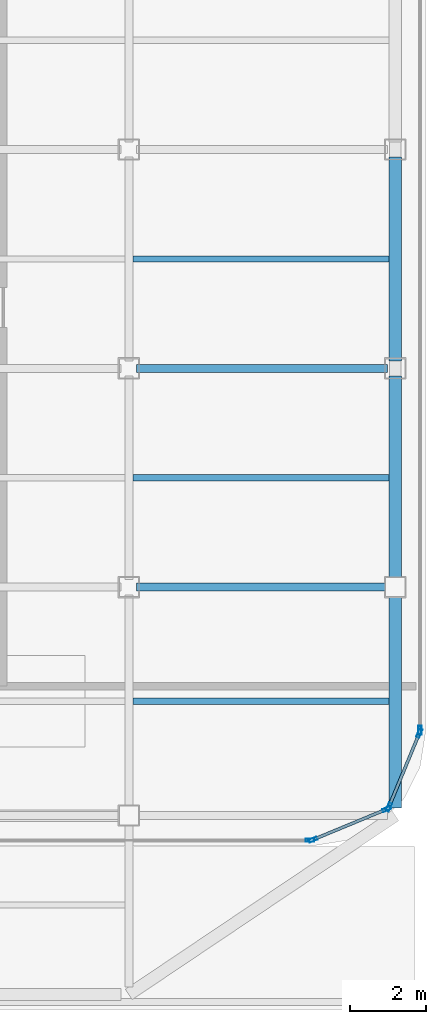
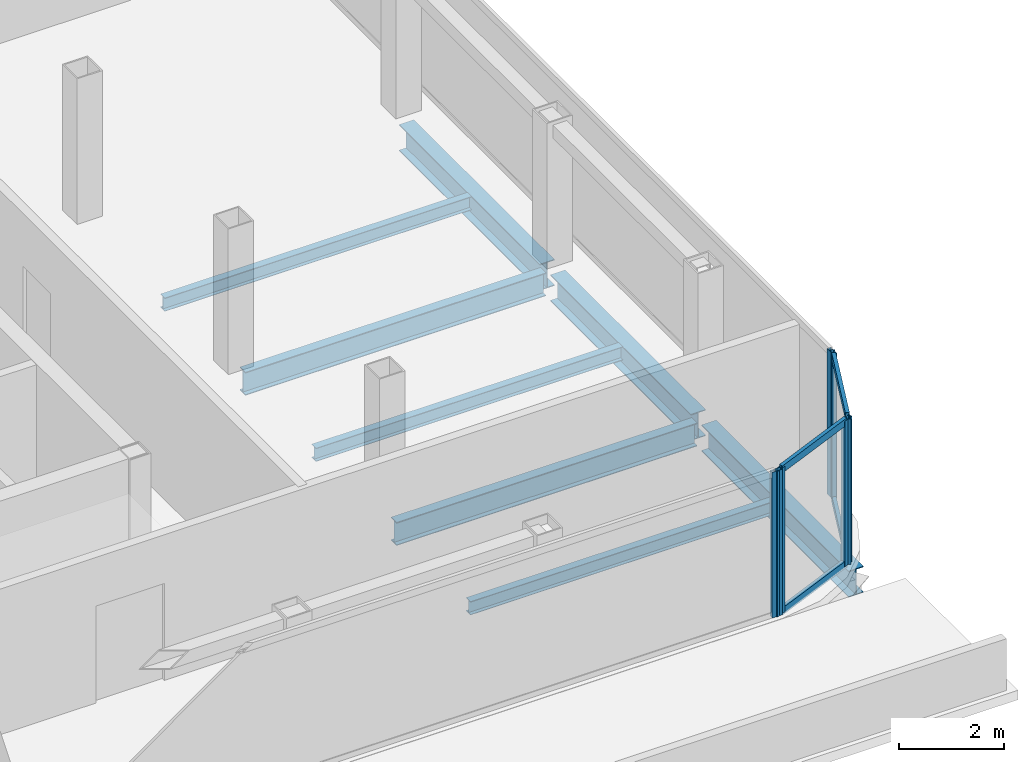
# One storey, part 6 of 15: 10 members, 8 beams, 4 elements without a shape of their own.
"""IFC4 building model written with IfcOpenShell, lengths in metres."""

import ifcopenshell
import ifcopenshell.guid

model = None  # the IFC model being written
_history = None  # IfcOwnerHistory: only IFC2X3 demands one
_inside = {}  # id of a spatial element -> (the spatial element, [elements in it])
_under = {}  # id of a project, library or spatial element -> (it, [spatial elements below it])
_declared = {}  # id of a project -> (the project, [libraries it declares])
_typed = {}  # id of a type object -> (the type object, [elements of that type])
_made_of = {}  # id of a material, layer set ... -> (it, [elements and type objects made of it])


def new_model(schema):
    """Start an empty IFC model of exactly this schema.

    Asked for "IFC4X3", IfcOpenShell would pick the latest addendum, in which some entities
    have other attributes; the version numbers below select the first issue.
    IFC2X3 requires an IfcOwnerHistory on every rooted entity: one is made here for all.
    """
    global model, _history
    if schema == "IFC4X3":
        model = ifcopenshell.file(schema_version=(4, 3, 0, 0))
    else:
        model = ifcopenshell.file(schema=schema)
    _inside.clear()
    _under.clear()
    _declared.clear()
    _typed.clear()
    _made_of.clear()
    _history = None
    if model.schema == "IFC2X3":
        org = make("IfcOrganization", Name="unknown")
        user = make(
            "IfcPersonAndOrganization",
            ThePerson=make("IfcPerson", FamilyName="unknown"),
            TheOrganization=org,
        )
        app = make(
            "IfcApplication",
            ApplicationDeveloper=org,
            Version="unknown",
            ApplicationFullName="unknown",
            ApplicationIdentifier="unknown",
        )
        _history = make(
            "IfcOwnerHistory",
            OwningUser=user,
            OwningApplication=app,
            ChangeAction="ADDED",
            CreationDate=0,
        )
    return model


def make(cls, **values):
    """One entity of the class cls with the attributes given. An attribute that is None is left unset."""
    return model.create_entity(
        cls, **{name: value for name, value in values.items() if value is not None}
    )


def rooted(cls, **values):
    """An entity with a GlobalId (a new one), such as an element, a storey or a relation."""
    return make(cls, GlobalId=ifcopenshell.guid.new(), OwnerHistory=_history, **values)


def si_unit(unit_type, name, prefix=None):
    """IfcSIUnit, for example si_unit("LENGTHUNIT", "METRE", prefix="MILLI")."""
    return make("IfcSIUnit", UnitType=unit_type, Prefix=prefix, Name=name)


def assignment(units):
    """IfcUnitAssignment: the units of a project."""
    return None if units is None else make("IfcUnitAssignment", Units=units)


def point(xyz):
    """IfcCartesianPoint."""
    return None if xyz is None else make("IfcCartesianPoint", Coordinates=xyz)


def direction(xyz):
    """IfcDirection."""
    return None if xyz is None else make("IfcDirection", DirectionRatios=xyz)


def frame(location, z_axis=None, x_axis=None):
    """IfcAxis2Placement3D, a coordinate frame: its origin and axes. An axis left out is left unset."""
    return make(
        "IfcAxis2Placement3D",
        Location=point(location),
        Axis=direction(z_axis),
        RefDirection=direction(x_axis),
    )


def frame_2d(location, x_axis=None):
    """IfcAxis2Placement2D, a coordinate frame in the plane: its origin and x axis."""
    return make(
        "IfcAxis2Placement2D", Location=point(location), RefDirection=direction(x_axis)
    )


def origin():
    """The frame at (0, 0, 0) with its axes left unset."""
    return frame((0.0, 0.0, 0.0))


def origin_2d():
    """The frame at (0, 0) in the plane with its x axis left unset."""
    return frame_2d((0.0, 0.0))


def place(relative_to, where):
    """IfcLocalPlacement: puts the frame where relative to a parent placement (None: the world)."""
    return make(
        "IfcLocalPlacement", PlacementRelTo=relative_to, RelativePlacement=where
    )


def context(
    kind, dimensions, precision=None, world=None, true_north=None, identifier=None
):
    """IfcGeometricRepresentationContext, for example the 3D "Model" context."""
    return make(
        "IfcGeometricRepresentationContext",
        ContextIdentifier=identifier,
        ContextType=kind,
        CoordinateSpaceDimension=dimensions,
        Precision=precision,
        WorldCoordinateSystem=world,
        TrueNorth=true_north,
    )


def subcontext(parent, identifier, kind, view, scale=None):
    """IfcGeometricRepresentationSubContext, for example "Body" below "Model"."""
    return make(
        "IfcGeometricRepresentationSubContext",
        ContextIdentifier=identifier,
        ContextType=kind,
        ParentContext=parent,
        TargetScale=scale,
        TargetView=view,
    )


def project(units=None, contexts=None):
    """IfcProject with its units and contexts."""
    return rooted(
        "IfcProject",
        Name="project",
        RepresentationContexts=contexts,
        UnitsInContext=assignment(units),
    )


def spatial(cls, under=None, at=None, **own):
    """A site, building, storey or space (cls), placed at a placement, below another one or the project."""
    s = rooted(cls, ObjectPlacement=at, **own)
    if under is not None:
        _under.setdefault(under.id(), (under, []))[1].append(s)
    return s


def profile(cls, at=None, kind="AREA", **sizes):
    """A parametric profile (cls). Its sizes go by their IFC names, for example OverallWidth=200.0."""
    return make(cls, ProfileType=kind, Position=at, **sizes)


def hollow_rectangle(**sizes):
    """IfcRectangleHollowProfileDef."""
    return profile("IfcRectangleHollowProfileDef", **sizes)


def i_section(**sizes):
    """IfcIShapeProfileDef."""
    return profile("IfcIShapeProfileDef", **sizes)


def extrude(swept, where, along, depth):
    """IfcExtrudedAreaSolid: the profile swept, set in the frame where, extruded along a direction by depth."""
    return make(
        "IfcExtrudedAreaSolid",
        SweptArea=swept,
        Position=where,
        ExtrudedDirection=direction(along),
        Depth=depth,
    )


def shape(context_of_items, identifier, shape_type, items):
    """IfcShapeRepresentation: the items that make up one representation, for example the "Body"."""
    return make(
        "IfcShapeRepresentation",
        ContextOfItems=context_of_items,
        RepresentationIdentifier=identifier,
        RepresentationType=shape_type,
        Items=items,
    )


def source(mapping_origin, context_of_items, identifier, shape_type, items):
    """IfcRepresentationMap: a shape defined once, which mapped items show again and again."""
    return make(
        "IfcRepresentationMap",
        MappingOrigin=mapping_origin,
        MappedRepresentation=shape(context_of_items, identifier, shape_type, items),
    )


def transform(
    local_origin,
    x_axis=None,
    y_axis=None,
    z_axis=None,
    scale=None,
    scale2=None,
    scale3=None,
    uniform=True,
):
    """IfcCartesianTransformationOperator3D, or its non-uniform kind. x_axis, y_axis, z_axis: its Axis1, 2, 3."""
    if uniform:
        return make(
            "IfcCartesianTransformationOperator3D",
            Axis1=direction(x_axis),
            Axis2=direction(y_axis),
            LocalOrigin=point(local_origin),
            Scale=scale,
            Axis3=direction(z_axis),
        )
    return make(
        "IfcCartesianTransformationOperator3DnonUniform",
        Axis1=direction(x_axis),
        Axis2=direction(y_axis),
        LocalOrigin=point(local_origin),
        Scale=scale,
        Axis3=direction(z_axis),
        Scale2=scale2,
        Scale3=scale3,
    )


def mapped(mapping_source, mapping_target):
    """IfcMappedItem: shows the shape of a source again, moved by a transform."""
    return make(
        "IfcMappedItem", MappingSource=mapping_source, MappingTarget=mapping_target
    )


def material(Name=None, Category=None):
    """IfcMaterial."""
    return make("IfcMaterial", Name=Name, Category=Category)


def layer(
    of_material, thickness, ventilated=None, Name=None, Category=None, Priority=None
):
    """IfcMaterialLayer: one layer of a wall or slab, of a material (None: an air gap)."""
    return make(
        "IfcMaterialLayer",
        Material=of_material,
        LayerThickness=thickness,
        IsVentilated=ventilated,
        Name=Name,
        Category=Category,
        Priority=Priority,
    )


def layer_set(layers, Name=None):
    """IfcMaterialLayerSet."""
    return make("IfcMaterialLayerSet", MaterialLayers=layers, LayerSetName=Name)


def material_profile(
    of_material, cross_section, Name=None, Category=None, Priority=None
):
    """IfcMaterialProfile: a cross section and its material."""
    return make(
        "IfcMaterialProfile",
        Name=Name,
        Material=of_material,
        Profile=cross_section,
        Priority=Priority,
        Category=Category,
    )


def profile_set(profiles, Name=None, composite=None):
    """IfcMaterialProfileSet."""
    return make(
        "IfcMaterialProfileSet",
        Name=Name,
        MaterialProfiles=profiles,
        CompositeProfile=composite,
    )


def made_of(thing, what):
    """Note that an element or type object is made of a material, layer set ...; save() writes the relation."""
    if what is not None:
        _made_of.setdefault(what.id(), (what, []))[1].append(thing)
    return thing


def type_object(cls, material=None, **own):
    """A type object (cls), such as IfcWallType, which elements share."""
    return made_of(rooted(cls, **own), material)


def element(
    cls,
    number,
    at=None,
    inside=None,
    cuts=None,
    type_object=None,
    material=None,
    context=None,
    identifier="Body",
    shape_type=None,
    held_by="IfcProductDefinitionShape",
    body=None,
    shapes=None,
    **own,
):
    """One element of the class cls, such as IfcWall. Its Tag is "e" and its number.

    at: its placement. inside: the storey or other place that contains it. cuts: it is an
    opening in that element (IfcRelVoidsElement). A single representation is given by context,
    identifier, shape_type and body (its items); several are given by shapes. held_by: the class
    of the entity that holds the representations. save() writes the other relations.
    """
    e = rooted(cls, Tag="e%d" % number, ObjectPlacement=at, **own)
    if body is not None:
        shapes = [shape(context, identifier, shape_type, body)]
    if shapes is not None:
        e.Representation = make(held_by, Representations=shapes)
    if inside is not None:
        _inside.setdefault(inside.id(), (inside, []))[1].append(e)
    if cuts is not None:
        rooted(
            "IfcRelVoidsElement", RelatingBuildingElement=cuts, RelatedOpeningElement=e
        )
    if type_object is not None:
        _typed.setdefault(type_object.id(), (type_object, []))[1].append(e)
    return made_of(e, material)


def aggregate(whole, parts):
    """IfcRelAggregates: a whole, such as a stair, and the parts it consists of."""
    return rooted("IfcRelAggregates", RelatingObject=whole, RelatedObjects=parts)


def save(model, path):
    """Write the relations noted so far, then the file.

    IfcRelAggregates (storeys below a building ...), IfcRelContainedInSpatialStructure (elements
    in a storey), IfcRelDefinesByType, IfcRelAssociatesMaterial and IfcRelDeclares: one each for
    every whole, place, type object, material and project.
    """
    for whole, parts in _under.values():
        aggregate(whole, parts)
    for where, things in _inside.values():
        rooted(
            "IfcRelContainedInSpatialStructure",
            RelatedElements=things,
            RelatingStructure=where,
        )
    for kind, things in _typed.values():
        rooted("IfcRelDefinesByType", RelatedObjects=things, RelatingType=kind)
    for what, things in _made_of.values():
        rooted("IfcRelAssociatesMaterial", RelatedObjects=things, RelatingMaterial=what)
    for by, libraries in _declared.values():
        rooted("IfcRelDeclares", RelatingContext=by, RelatedDefinitions=libraries)
    model.write(path)


model = new_model("IFC4")

# Units and contexts
model_context = context("Model", 3, precision=1e-05, world=origin(), true_north=direction((0.0, 1.0)))
body_context = subcontext(model_context, "Body", "Model", "MODEL_VIEW")
ifc_project = project(units=[si_unit("LENGTHUNIT", "METRE"), si_unit("AREAUNIT", "SQUARE_METRE"), si_unit("VOLUMEUNIT", "CUBIC_METRE"), si_unit("PLANEANGLEUNIT", "RADIAN"), si_unit("MASSUNIT", "GRAM", prefix="KILO")], contexts=[model_context])

# Site, building, storey
site_placement = place(None, origin())
site = spatial("IfcSite", under=ifc_project, at=site_placement, CompositionType="ELEMENT")
building_placement = place(site_placement, origin())
building = spatial("IfcBuilding", under=site, at=building_placement, Name="Kolveth Station Tower", CompositionType="ELEMENT")
storey_placement = place(building_placement, frame((0.0, 0.0, 271.300048828125)))
storey = spatial("IfcBuildingStorey", under=building, at=storey_placement, Name="L78", CompositionType="ELEMENT", Elevation=271.300048828125)

# Beams
ifc_material_1 = material(Name="Steel S355", Category="steel")
ifc_material_profile_1 = material_profile(ifc_material_1, i_section(OverallWidth=0.323974609375, OverallDepth=0.611083984375, WebThickness=0.0126953125, FlangeThickness=0.01904296875, at=origin_2d()), Name="W610x155")
ifc_profile_set_1 = profile_set([ifc_material_profile_1], Name="Steel S355")
beam_type_1 = type_object("IfcBeamType", Name="Beam_SP2", PredefinedType="SPANDREL", material=ifc_profile_set_1)
shared_shape_1 = source(origin(), body_context, "Body", "SweptSolid", [
    extrude(i_section(OverallWidth=0.323974609375, OverallDepth=0.611083984375, WebThickness=0.0126953125, FlangeThickness=0.01904296875, at=origin_2d()), origin(), (0.0, 0.0, 1.0), 5.60009765625),
])
beam_placement = place(storey_placement, frame((41.0, 5.699951171875, -0.525634765625), z_axis=(0.0, 1.0, 0.0), x_axis=(-1.0, 0.0, 0.0)))
element("IfcBeam", 1, at=beam_placement, inside=storey, type_object=beam_type_1, Name="L78 Perimeter Spandrel BM-L78-PE-1", PredefinedType="SPANDREL", context=body_context, shape_type="MappedRepresentation", body=[
    mapped(shared_shape_1, transform((0.0, 0.0, 0.0), x_axis=(1.0, 0.0, 0.0), y_axis=(0.0, 1.0, 0.0), z_axis=(0.0, 0.0, 1.0), scale=1.0)),
])
shared_shape_2 = source(origin(), body_context, "Body", "SweptSolid", [
    extrude(i_section(OverallWidth=0.323974609375, OverallDepth=0.611083984375, WebThickness=0.0126953125, FlangeThickness=0.01904296875, at=origin_2d()), origin(), (0.0, 0.0, 1.0), 5.35009765625),
])
for number, where, z_axis, x_axis, name in (
    (2, (41.0, 11.699951171875, -0.525634765625), (0.0, 1.0, 0.0), (-1.0, 0.0, 0.0), "L78 Perimeter Spandrel BM-L78-PE-2"),
    (3, (41.0, 17.449951171875, -0.525634765625), (0.0, 1.0, 0.0), (-1.0, 0.0, 0.0), "L78 Perimeter Spandrel BM-L78-PE-3"),
):
    element("IfcBeam", number, at=place(storey_placement, frame(where, z_axis=z_axis, x_axis=x_axis)), inside=storey, type_object=beam_type_1, Name=name, PredefinedType="SPANDREL", context=body_context, shape_type="MappedRepresentation", body=[
        mapped(shared_shape_2, transform((0.0, 0.0, 0.0), x_axis=(1.0, 0.0, 0.0), y_axis=(0.0, 1.0, 0.0), z_axis=(0.0, 0.0, 1.0), scale=1.0)),
    ])
ifc_material_profile_2 = material_profile(ifc_material_1, i_section(OverallWidth=0.2099609375, OverallDepth=0.537109375, WebThickness=0.010986328125, FlangeThickness=0.017333984375, at=origin_2d()), Name="W530x101")
ifc_profile_set_2 = profile_set([ifc_material_profile_2], Name="Steel S355")
beam_type_2 = type_object("IfcBeamType", Name="Beam_B6", PredefinedType="BEAM", material=ifc_profile_set_2)
shared_shape_3 = source(origin(), body_context, "Body", "SweptSolid", [
    extrude(i_section(OverallWidth=0.2099609375, OverallDepth=0.537109375, WebThickness=0.010986328125, FlangeThickness=0.017333984375, at=origin_2d()), origin(), (0.0, 0.0, 1.0), 6.60009765625),
])
for number, where, z_axis, x_axis, name in (
    (4, (34.199951171875, 11.5, -0.488525390625), (1.0, 0.0, 0.0), (0.0, 1.0, 0.0), "L78 Primary Girder BM-L78-GY115-5"),
    (5, (34.199951171875, 17.25, -0.488525390625), (1.0, 0.0, 0.0), (0.0, 1.0, 0.0), "L78 Primary Girder BM-L78-GY172-5"),
):
    element("IfcBeam", number, at=place(storey_placement, frame(where, z_axis=z_axis, x_axis=x_axis)), inside=storey, type_object=beam_type_2, Name=name, PredefinedType="BEAM", context=body_context, shape_type="MappedRepresentation", body=[
        mapped(shared_shape_3, transform((0.0, 0.0, 0.0), x_axis=(1.0, 0.0, 0.0), y_axis=(0.0, 1.0, 0.0), z_axis=(0.0, 0.0, 1.0), scale=1.0)),
    ])
ifc_material_profile_3 = material_profile(ifc_material_1, i_section(OverallWidth=0.1650390625, OverallDepth=0.31005859375, WebThickness=0.005859375, FlangeThickness=0.009765625, at=origin_2d()), Name="W310x39")
ifc_profile_set_3 = profile_set([ifc_material_profile_3], Name="Steel S355")
beam_type_3 = type_object("IfcBeamType", Name="Beam_J3", PredefinedType="JOIST", material=ifc_profile_set_3)
shared_shape_4 = source(origin(), body_context, "Body", "SweptSolid", [
    extrude(i_section(OverallWidth=0.1650390625, OverallDepth=0.31005859375, WebThickness=0.005859375, FlangeThickness=0.009765625, at=origin_2d()), origin(), (0.0, 0.0, 1.0), 6.737060546875),
])
for number, where, z_axis, x_axis, name in (
    (6, (34.10302734375, 8.5, -0.375), (1.0, 0.0, 0.0), (0.0, 1.0, 0.0), "L78 Secondary Joist JST-L78-5-2"),
    (7, (34.10302734375, 14.375, -0.375), (1.0, 0.0, 0.0), (0.0, 1.0, 0.0), "L78 Secondary Joist JST-L78-5-3"),
    (8, (34.10302734375, 20.125, -0.375), (1.0, 0.0, 0.0), (0.0, 1.0, 0.0), "L78 Secondary Joist JST-L78-5-4"),
):
    element("IfcBeam", number, at=place(storey_placement, frame(where, z_axis=z_axis, x_axis=x_axis)), inside=storey, type_object=beam_type_3, Name=name, PredefinedType="JOIST", context=body_context, shape_type="MappedRepresentation", body=[
        mapped(shared_shape_4, transform((0.0, 0.0, 0.0), x_axis=(1.0, 0.0, 0.0), y_axis=(0.0, 1.0, 0.0), z_axis=(0.0, 0.0, 1.0), scale=1.0)),
    ])

# Curtain wall, members
ifc_material_2 = material(Name="Black anodized aluminium 6063-T6 and dark crown glass", Category="aluminium")
ifc_layer = layer(ifc_material_2, 0.169921875)
ifc_layer_set = layer_set([ifc_layer], Name="Black anodized aluminium 6063-T6 and dark crown glass")
curtain_wall_type = type_object("IfcCurtainWallType", Name="CurtainWall_CW-CR", PredefinedType="NOTDEFINED", material=ifc_layer_set)
curtain_wall_1_placement = place(storey_placement, origin())
curtain_wall_1 = element("IfcCurtainWall", 9, at=curtain_wall_1_placement, inside=storey, type_object=curtain_wall_type, Name="L78 Stepped Crown Curtain Wall 1", PredefinedType="NOTDEFINED")
ifc_material_3 = material(Name="Black anodized aluminium 6063-T6", Category="aluminium")
ifc_material_profile_4 = material_profile(ifc_material_3, hollow_rectangle(XDim=0.0849609375, YDim=0.22998046875, WallThickness=0.0048828125, at=origin_2d()), Name="ALU-85x230x5")
ifc_profile_set_4 = profile_set([ifc_material_profile_4], Name="Black anodized aluminium 6063-T6")
member_type_1 = type_object("IfcMemberType", Name="Mullion_ML-CR", PredefinedType="MULLION", material=ifc_profile_set_4)
shared_shape_5 = source(origin(), body_context, "Body", "SweptSolid", [
    extrude(hollow_rectangle(XDim=0.0849609375, YDim=0.22998046875, WallThickness=0.0048828125, at=origin_2d()), origin(), (0.0, 0.0, 1.0), 3.3798828125),
])
member_1_placement = place(storey_placement, frame((38.83935546875, 4.8662109375, 0.0), z_axis=(0.0, 0.0, 1.0), x_axis=(-0.382658157192, 0.923890001426, 0.0)))
member_1 = element("IfcMember", 10, at=member_1_placement, type_object=member_type_1, Name="CW-CR mullion 1", PredefinedType="MULLION", context=body_context, shape_type="MappedRepresentation", body=[
    mapped(shared_shape_5, transform((0.0, 0.0, 0.0), x_axis=(1.0, 0.0, 0.0), y_axis=(0.0, 1.0, 0.0), z_axis=(0.0, 0.0, 1.0), scale=1.0)),
])
member_2_placement = place(storey_placement, frame((40.776123046875, 5.66845703125, 0.0), z_axis=(0.0, 0.0, 1.0), x_axis=(-0.382658157192, 0.923890001426, 0.0)))
member_2 = element("IfcMember", 11, at=member_2_placement, type_object=member_type_1, Name="CW-CR mullion 2", PredefinedType="MULLION", context=body_context, shape_type="MappedRepresentation", body=[
    mapped(shared_shape_5, transform((0.0, 0.0, 0.0), x_axis=(1.0, 0.0, 0.0), y_axis=(0.0, 1.0, 0.0), z_axis=(0.0, 0.0, 1.0), scale=1.0)),
])

curtain_wall_2_placement = place(storey_placement, origin())
curtain_wall_2 = element("IfcCurtainWall", 12, at=curtain_wall_2_placement, inside=storey, type_object=curtain_wall_type, Name="L78 Stepped Crown Curtain Wall 2", PredefinedType="NOTDEFINED")
member_3_placement = place(storey_placement, frame((40.83154296875, 5.723876953125, 0.0), z_axis=(0.0, 0.0, 1.0), x_axis=(-0.923890001426, 0.382658157192, 0.0)))
member_3 = element("IfcMember", 13, at=member_3_placement, type_object=member_type_1, Name="CW-CR mullion 1", PredefinedType="MULLION", context=body_context, shape_type="MappedRepresentation", body=[
    mapped(shared_shape_5, transform((0.0, 0.0, 0.0), x_axis=(1.0, 0.0, 0.0), y_axis=(0.0, 1.0, 0.0), z_axis=(0.0, 0.0, 1.0), scale=1.0)),
])
member_4_placement = place(storey_placement, frame((41.6337890625, 7.66064453125, 0.0), z_axis=(0.0, 0.0, 1.0), x_axis=(-0.923890001426, 0.382658157192, 0.0)))
member_4 = element("IfcMember", 14, at=member_4_placement, type_object=member_type_1, Name="CW-CR mullion 2", PredefinedType="MULLION", context=body_context, shape_type="MappedRepresentation", body=[
    mapped(shared_shape_5, transform((0.0, 0.0, 0.0), x_axis=(1.0, 0.0, 0.0), y_axis=(0.0, 1.0, 0.0), z_axis=(0.0, 0.0, 1.0), scale=1.0)),
])

# Curtain wall, member
curtain_wall_3_placement = place(storey_placement, origin())
curtain_wall_3 = element("IfcCurtainWall", 15, at=curtain_wall_3_placement, inside=storey, type_object=curtain_wall_type, Name="L78 Stepped Crown Curtain Wall 3", PredefinedType="NOTDEFINED")
member_5_placement = place(storey_placement, frame((41.64990234375, 7.742431640625, 0.0), z_axis=(0.0, 0.0, 1.0), x_axis=(-1.0, 0.0, 0.0)))
member_5 = element("IfcMember", 16, at=member_5_placement, type_object=member_type_1, Name="CW-CR mullion 1", PredefinedType="MULLION", context=body_context, shape_type="MappedRepresentation", body=[
    mapped(shared_shape_5, transform((0.0, 0.0, 0.0), x_axis=(1.0, 0.0, 0.0), y_axis=(0.0, 1.0, 0.0), z_axis=(0.0, 0.0, 1.0), scale=1.0)),
])
aggregate(curtain_wall_3, [member_5])

curtain_wall_4_placement = place(storey_placement, origin())
curtain_wall_4 = element("IfcCurtainWall", 17, at=curtain_wall_4_placement, inside=storey, type_object=curtain_wall_type, Name="L78 Stepped Crown Curtain Wall 12", PredefinedType="NOTDEFINED")
member_6_placement = place(storey_placement, frame((38.757568359375, 4.85009765625, 0.0), z_axis=(0.0, 0.0, 1.0), x_axis=(0.0, 1.0, 0.0)))
member_6 = element("IfcMember", 18, at=member_6_placement, type_object=member_type_1, Name="CW-CR mullion 2", PredefinedType="MULLION", context=body_context, shape_type="MappedRepresentation", body=[
    mapped(shared_shape_5, transform((0.0, 0.0, 0.0), x_axis=(1.0, 0.0, 0.0), y_axis=(0.0, 1.0, 0.0), z_axis=(0.0, 0.0, 1.0), scale=1.0)),
])
aggregate(curtain_wall_4, [member_6])

# Member
ifc_material_profile_5 = material_profile(ifc_material_3, hollow_rectangle(XDim=0.080078125, YDim=0.1650390625, WallThickness=0.0048828125, at=origin_2d()), Name="ALU-80x165x5")
ifc_profile_set_5 = profile_set([ifc_material_profile_5], Name="Black anodized aluminium 6063-T6")
member_type_2 = type_object("IfcMemberType", Name="Transom_TR-CR", PredefinedType="USERDEFINED", material=ifc_profile_set_5)
shared_shape_6 = source(origin(), body_context, "Body", "SweptSolid", [
    extrude(hollow_rectangle(XDim=0.080078125, YDim=0.1650390625, WallThickness=0.0048828125, at=origin_2d()), origin(), (0.0, 0.0, 1.0), 2.011474609375),
])
member_7_placement = place(storey_placement, frame((38.87841796875, 4.882568359375, 0.0400390625), z_axis=(0.92392216698, 0.382580487431, 0.0), x_axis=(-0.382580487431, 0.92392216698, 0.0)))
member_7 = element("IfcMember", 19, at=member_7_placement, type_object=member_type_2, Name="CW-CR transom 1.1", ObjectType="TRANSOM", PredefinedType="USERDEFINED", context=body_context, shape_type="MappedRepresentation", body=[
    mapped(shared_shape_6, transform((0.0, 0.0, 0.0), x_axis=(1.0, 0.0, 0.0), y_axis=(0.0, 1.0, 0.0), z_axis=(0.0, 0.0, 1.0), scale=1.0)),
])

member_8_placement = place(storey_placement, frame((38.87841796875, 4.882568359375, 3.33984375), z_axis=(0.92392216698, 0.382580487431, 0.0), x_axis=(-0.382580487431, 0.92392216698, 0.0)))
member_8 = element("IfcMember", 20, at=member_8_placement, type_object=member_type_2, Name="CW-CR transom 1.2", ObjectType="TRANSOM", PredefinedType="USERDEFINED", context=body_context, shape_type="MappedRepresentation", body=[
    mapped(shared_shape_6, transform((0.0, 0.0, 0.0), x_axis=(1.0, 0.0, 0.0), y_axis=(0.0, 1.0, 0.0), z_axis=(0.0, 0.0, 1.0), scale=1.0)),
])

aggregate(curtain_wall_1, [member_1, member_2, member_7, member_8])

member_9_placement = place(storey_placement, frame((40.847900390625, 5.76318359375, 0.0400390625), z_axis=(0.382580487431, 0.92392216698, 0.0), x_axis=(-0.92392216698, 0.382580487431, 0.0)))
member_9 = element("IfcMember", 21, at=member_9_placement, type_object=member_type_2, Name="CW-CR transom 1.1", ObjectType="TRANSOM", PredefinedType="USERDEFINED", context=body_context, shape_type="MappedRepresentation", body=[
    mapped(shared_shape_6, transform((0.0, 0.0, 0.0), x_axis=(1.0, 0.0, 0.0), y_axis=(0.0, 1.0, 0.0), z_axis=(0.0, 0.0, 1.0), scale=1.0)),
])

member_10_placement = place(storey_placement, frame((40.847900390625, 5.76318359375, 3.33984375), z_axis=(0.382580487431, 0.92392216698, 0.0), x_axis=(-0.92392216698, 0.382580487431, 0.0)))
member_10 = element("IfcMember", 22, at=member_10_placement, type_object=member_type_2, Name="CW-CR transom 1.2", ObjectType="TRANSOM", PredefinedType="USERDEFINED", context=body_context, shape_type="MappedRepresentation", body=[
    mapped(shared_shape_6, transform((0.0, 0.0, 0.0), x_axis=(1.0, 0.0, 0.0), y_axis=(0.0, 1.0, 0.0), z_axis=(0.0, 0.0, 1.0), scale=1.0)),
])

aggregate(curtain_wall_2, [member_3, member_4, member_9, member_10])

save(model, "model.ifc")
